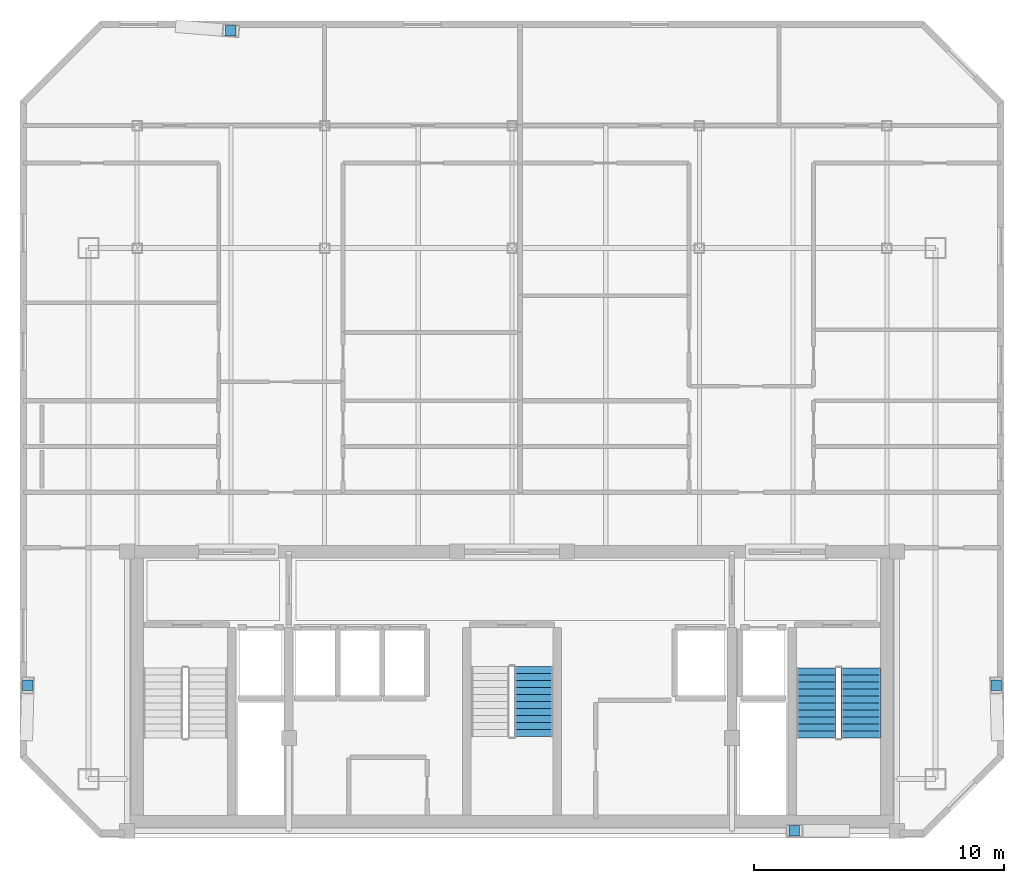
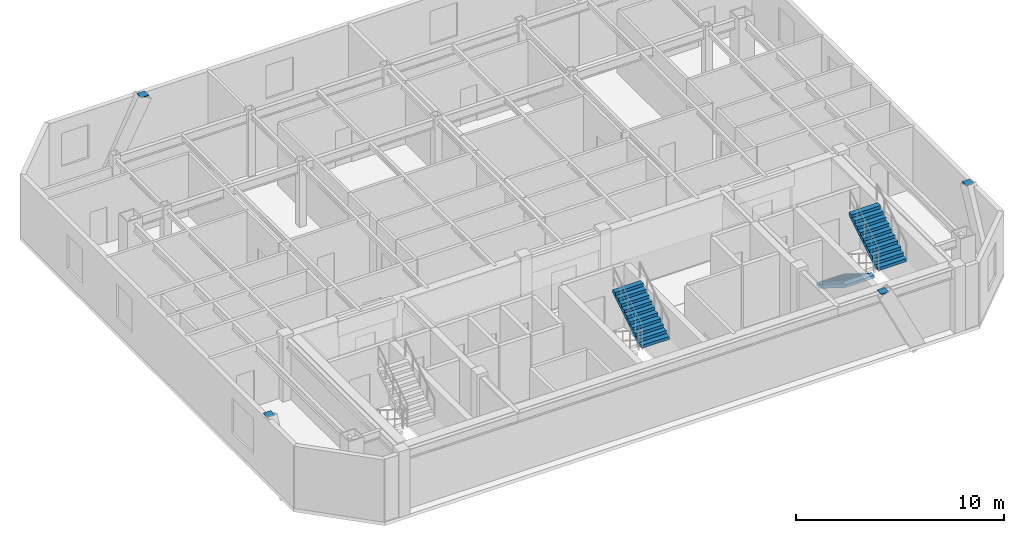
# One storey, part 6 of 7: 4 discrete accessories, 3 stair flights, 2 elements without a shape of their own.
"""IFC4 building model written with IfcOpenShell, lengths in metres."""

import ifcopenshell
import ifcopenshell.guid

model = None  # the IFC model being written
_history = None  # IfcOwnerHistory: only IFC2X3 demands one
_inside = {}  # id of a spatial element -> (the spatial element, [elements in it])
_under = {}  # id of a project, library or spatial element -> (it, [spatial elements below it])
_declared = {}  # id of a project -> (the project, [libraries it declares])
_typed = {}  # id of a type object -> (the type object, [elements of that type])
_made_of = {}  # id of a material, layer set ... -> (it, [elements and type objects made of it])


def new_model(schema):
    """Start an empty IFC model of exactly this schema.

    Asked for "IFC4X3", IfcOpenShell would pick the latest addendum, in which some entities
    have other attributes; the version numbers below select the first issue.
    IFC2X3 requires an IfcOwnerHistory on every rooted entity: one is made here for all.
    """
    global model, _history
    if schema == "IFC4X3":
        model = ifcopenshell.file(schema_version=(4, 3, 0, 0))
    else:
        model = ifcopenshell.file(schema=schema)
    _inside.clear()
    _under.clear()
    _declared.clear()
    _typed.clear()
    _made_of.clear()
    _history = None
    if model.schema == "IFC2X3":
        org = make("IfcOrganization", Name="unknown")
        user = make(
            "IfcPersonAndOrganization",
            ThePerson=make("IfcPerson", FamilyName="unknown"),
            TheOrganization=org,
        )
        app = make(
            "IfcApplication",
            ApplicationDeveloper=org,
            Version="unknown",
            ApplicationFullName="unknown",
            ApplicationIdentifier="unknown",
        )
        _history = make(
            "IfcOwnerHistory",
            OwningUser=user,
            OwningApplication=app,
            ChangeAction="ADDED",
            CreationDate=0,
        )
    return model


def make(cls, **values):
    """One entity of the class cls with the attributes given. An attribute that is None is left unset."""
    return model.create_entity(
        cls, **{name: value for name, value in values.items() if value is not None}
    )


def rooted(cls, **values):
    """An entity with a GlobalId (a new one), such as an element, a storey or a relation."""
    return make(cls, GlobalId=ifcopenshell.guid.new(), OwnerHistory=_history, **values)


def si_unit(unit_type, name, prefix=None):
    """IfcSIUnit, for example si_unit("LENGTHUNIT", "METRE", prefix="MILLI")."""
    return make("IfcSIUnit", UnitType=unit_type, Prefix=prefix, Name=name)


def assignment(units):
    """IfcUnitAssignment: the units of a project."""
    return None if units is None else make("IfcUnitAssignment", Units=units)


def point(xyz):
    """IfcCartesianPoint."""
    return None if xyz is None else make("IfcCartesianPoint", Coordinates=xyz)


def direction(xyz):
    """IfcDirection."""
    return None if xyz is None else make("IfcDirection", DirectionRatios=xyz)


def frame(location, z_axis=None, x_axis=None):
    """IfcAxis2Placement3D, a coordinate frame: its origin and axes. An axis left out is left unset."""
    return make(
        "IfcAxis2Placement3D",
        Location=point(location),
        Axis=direction(z_axis),
        RefDirection=direction(x_axis),
    )


def frame_2d(location, x_axis=None):
    """IfcAxis2Placement2D, a coordinate frame in the plane: its origin and x axis."""
    return make(
        "IfcAxis2Placement2D", Location=point(location), RefDirection=direction(x_axis)
    )


def origin():
    """The frame at (0, 0, 0) with its axes left unset."""
    return frame((0.0, 0.0, 0.0))


def origin_2d():
    """The frame at (0, 0) in the plane with its x axis left unset."""
    return frame_2d((0.0, 0.0))


def place(relative_to, where):
    """IfcLocalPlacement: puts the frame where relative to a parent placement (None: the world)."""
    return make(
        "IfcLocalPlacement", PlacementRelTo=relative_to, RelativePlacement=where
    )


def context(
    kind, dimensions, precision=None, world=None, true_north=None, identifier=None
):
    """IfcGeometricRepresentationContext, for example the 3D "Model" context."""
    return make(
        "IfcGeometricRepresentationContext",
        ContextIdentifier=identifier,
        ContextType=kind,
        CoordinateSpaceDimension=dimensions,
        Precision=precision,
        WorldCoordinateSystem=world,
        TrueNorth=true_north,
    )


def subcontext(parent, identifier, kind, view, scale=None):
    """IfcGeometricRepresentationSubContext, for example "Body" below "Model"."""
    return make(
        "IfcGeometricRepresentationSubContext",
        ContextIdentifier=identifier,
        ContextType=kind,
        ParentContext=parent,
        TargetScale=scale,
        TargetView=view,
    )


def project(units=None, contexts=None):
    """IfcProject with its units and contexts."""
    return rooted(
        "IfcProject",
        Name="project",
        RepresentationContexts=contexts,
        UnitsInContext=assignment(units),
    )


def spatial(cls, under=None, at=None, **own):
    """A site, building, storey or space (cls), placed at a placement, below another one or the project."""
    s = rooted(cls, ObjectPlacement=at, **own)
    if under is not None:
        _under.setdefault(under.id(), (under, []))[1].append(s)
    return s


def polyline(points):
    """IfcPolyline through the points."""
    return make("IfcPolyline", Points=[point(p) for p in points])


def profile(cls, at=None, kind="AREA", **sizes):
    """A parametric profile (cls). Its sizes go by their IFC names, for example OverallWidth=200.0."""
    return make(cls, ProfileType=kind, Position=at, **sizes)


def rectangle(**sizes):
    """IfcRectangleProfileDef."""
    return profile("IfcRectangleProfileDef", **sizes)


def outline(outer, holes=None, kind="AREA"):
    """IfcArbitraryClosedProfileDef: a profile drawn as a closed curve; with holes, ...WithVoids."""
    if holes is None:
        return make("IfcArbitraryClosedProfileDef", ProfileType=kind, OuterCurve=outer)
    return make(
        "IfcArbitraryProfileDefWithVoids",
        ProfileType=kind,
        OuterCurve=outer,
        InnerCurves=holes,
    )


def extrude(swept, where, along, depth):
    """IfcExtrudedAreaSolid: the profile swept, set in the frame where, extruded along a direction by depth."""
    return make(
        "IfcExtrudedAreaSolid",
        SweptArea=swept,
        Position=where,
        ExtrudedDirection=direction(along),
        Depth=depth,
    )


def shape(context_of_items, identifier, shape_type, items):
    """IfcShapeRepresentation: the items that make up one representation, for example the "Body"."""
    return make(
        "IfcShapeRepresentation",
        ContextOfItems=context_of_items,
        RepresentationIdentifier=identifier,
        RepresentationType=shape_type,
        Items=items,
    )


def material(Name=None, Category=None):
    """IfcMaterial."""
    return make("IfcMaterial", Name=Name, Category=Category)


def made_of(thing, what):
    """Note that an element or type object is made of a material, layer set ...; save() writes the relation."""
    if what is not None:
        _made_of.setdefault(what.id(), (what, []))[1].append(thing)
    return thing


def type_object(cls, material=None, **own):
    """A type object (cls), such as IfcWallType, which elements share."""
    return made_of(rooted(cls, **own), material)


def element(
    cls,
    number,
    at=None,
    inside=None,
    cuts=None,
    type_object=None,
    material=None,
    context=None,
    identifier="Body",
    shape_type=None,
    held_by="IfcProductDefinitionShape",
    body=None,
    shapes=None,
    **own,
):
    """One element of the class cls, such as IfcWall. Its Tag is "e" and its number.

    at: its placement. inside: the storey or other place that contains it. cuts: it is an
    opening in that element (IfcRelVoidsElement). A single representation is given by context,
    identifier, shape_type and body (its items); several are given by shapes. held_by: the class
    of the entity that holds the representations. save() writes the other relations.
    """
    e = rooted(cls, Tag="e%d" % number, ObjectPlacement=at, **own)
    if body is not None:
        shapes = [shape(context, identifier, shape_type, body)]
    if shapes is not None:
        e.Representation = make(held_by, Representations=shapes)
    if inside is not None:
        _inside.setdefault(inside.id(), (inside, []))[1].append(e)
    if cuts is not None:
        rooted(
            "IfcRelVoidsElement", RelatingBuildingElement=cuts, RelatedOpeningElement=e
        )
    if type_object is not None:
        _typed.setdefault(type_object.id(), (type_object, []))[1].append(e)
    return made_of(e, material)


def aggregate(whole, parts):
    """IfcRelAggregates: a whole, such as a stair, and the parts it consists of."""
    return rooted("IfcRelAggregates", RelatingObject=whole, RelatedObjects=parts)


def save(model, path):
    """Write the relations noted so far, then the file.

    IfcRelAggregates (storeys below a building ...), IfcRelContainedInSpatialStructure (elements
    in a storey), IfcRelDefinesByType, IfcRelAssociatesMaterial and IfcRelDeclares: one each for
    every whole, place, type object, material and project.
    """
    for whole, parts in _under.values():
        aggregate(whole, parts)
    for where, things in _inside.values():
        rooted(
            "IfcRelContainedInSpatialStructure",
            RelatedElements=things,
            RelatingStructure=where,
        )
    for kind, things in _typed.values():
        rooted("IfcRelDefinesByType", RelatedObjects=things, RelatingType=kind)
    for what, things in _made_of.values():
        rooted("IfcRelAssociatesMaterial", RelatedObjects=things, RelatingMaterial=what)
    for by, libraries in _declared.values():
        rooted("IfcRelDeclares", RelatingContext=by, RelatedDefinitions=libraries)
    model.write(path)


model = new_model("IFC4")

# Units and contexts
model_context = context("Model", 3, precision=1e-05, world=origin(), true_north=direction((0.0, 1.0)))
body_context = subcontext(model_context, "Body", "Model", "MODEL_VIEW")
ifc_project = project(units=[si_unit("LENGTHUNIT", "METRE"), si_unit("AREAUNIT", "SQUARE_METRE"), si_unit("VOLUMEUNIT", "CUBIC_METRE"), si_unit("PLANEANGLEUNIT", "RADIAN"), si_unit("MASSUNIT", "GRAM", prefix="KILO")], contexts=[model_context])

# Site, building, storey
site_placement = place(None, origin())
site = spatial("IfcSite", under=ifc_project, at=site_placement, CompositionType="ELEMENT")
building_placement = place(site_placement, origin())
building = spatial("IfcBuilding", under=site, at=building_placement, Name="Ventersveld Concourse Tower", CompositionType="ELEMENT")
storey_placement = place(building_placement, frame((0.0, 0.0, 320.75)))
storey = spatial("IfcBuildingStorey", under=building, at=storey_placement, Name="L79", CompositionType="ELEMENT", Elevation=320.75)

# Stair, stair flight
ifc_material_1 = material(Name="Concrete C50/60", Category="concrete")
stair_type_1 = type_object("IfcStairType", Name="ST-DOG-155", PredefinedType="HALF_TURN_STAIR", material=ifc_material_1)
stair_1_placement = place(storey_placement, origin())
stair_1 = element("IfcStair", 1, at=stair_1_placement, inside=storey, type_object=stair_type_1, Name="L79 Protected Central Core Escape Stair ST-03", PredefinedType="HALF_TURN_STAIR")
stair_flight_type_1 = type_object("IfcStairFlightType", Name="STF-RC-155", PredefinedType="STRAIGHT", material=ifc_material_1)
stair_flight_1_placement = place(storey_placement, frame((29.625, 4.050048828125, 1.925048828125), z_axis=(0.0, 0.0, 1.0), x_axis=(0.0, 1.0, 0.0)))
stair_flight_1 = element("IfcStairFlight", 2, at=stair_flight_1_placement, type_object=stair_flight_type_1, Name="ST-03 flight 2", NumberOfRisers=11, NumberOfTreads=10, PredefinedType="STRAIGHT", RiserHeight=0.175, TreadLength=0.28, context=body_context, shape_type="SweptSolid", body=[
    extrude(outline(polyline([(0.0, 0.0), (0.0, 0.175048828125), (0.280029296875, 0.175048828125), (0.280029296875, 0.35009765625), (0.56005859375, 0.35009765625), (0.56005859375, 0.52490234375), (0.840087890625, 0.52490234375), (0.840087890625, 0.699951171875), (1.1201171875, 0.699951171875), (1.1201171875, 0.875), (1.39990234375, 0.875), (1.39990234375, 1.050048828125), (1.679931640625, 1.050048828125), (1.679931640625, 1.22509765625), (1.9599609375, 1.22509765625), (1.9599609375, 1.39990234375), (2.239990234375, 1.39990234375), (2.239990234375, 1.574951171875), (2.52001953125, 1.574951171875), (2.52001953125, 1.75), (2.800048828125, 1.75), (2.800048828125, 1.925048828125), (2.800048828125, 1.5732421875), (0.28271484375, 0.0), (0.0, 0.0)])), frame((0.0, 0.77490234375, 0.0), z_axis=(0.0, -1.0, 0.0), x_axis=(1.0, 0.0, 0.0)), (0.0, 0.0, 1.0), 1.550048828125),
])
aggregate(stair_1, [stair_flight_1])

# Stair, stair flights
stair_type_2 = type_object("IfcStairType", Name="ST-DOG-160", PredefinedType="HALF_TURN_STAIR", material=ifc_material_1)
stair_2_placement = place(storey_placement, origin())
stair_2 = element("IfcStair", 3, at=stair_2_placement, inside=storey, type_object=stair_type_2, Name="L79 Protected Tower Escape Stair ST-02", PredefinedType="HALF_TURN_STAIR")
stair_flight_type_2 = type_object("IfcStairFlightType", Name="STF-RC-160", PredefinedType="STRAIGHT", material=ifc_material_1)
stair_flight_2_placement = place(storey_placement, frame((40.919921875, 6.800048828125, 0.0), z_axis=(0.0, 0.0, 1.0), x_axis=(0.0, -1.0, 0.0)))
stair_flight_2 = element("IfcStairFlight", 4, at=stair_flight_2_placement, type_object=stair_flight_type_2, Name="ST-02 flight 1", NumberOfRisers=11, NumberOfTreads=10, PredefinedType="STRAIGHT", RiserHeight=0.175, TreadLength=0.28, context=body_context, shape_type="SweptSolid", body=[
    extrude(outline(polyline([(0.0, 0.0), (0.0, 0.175048828125), (0.280029296875, 0.175048828125), (0.280029296875, 0.35009765625), (0.56005859375, 0.35009765625), (0.56005859375, 0.52490234375), (0.840087890625, 0.52490234375), (0.840087890625, 0.699951171875), (1.1201171875, 0.699951171875), (1.1201171875, 0.875), (1.39990234375, 0.875), (1.39990234375, 1.050048828125), (1.679931640625, 1.050048828125), (1.679931640625, 1.22509765625), (1.9599609375, 1.22509765625), (1.9599609375, 1.39990234375), (2.239990234375, 1.39990234375), (2.239990234375, 1.574951171875), (2.52001953125, 1.574951171875), (2.52001953125, 1.75), (2.800048828125, 1.75), (2.800048828125, 1.925048828125), (2.800048828125, 1.5732421875), (0.28271484375, 0.0), (0.0, 0.0)])), frame((0.0, 0.800048828125, 0.0), z_axis=(0.0, -1.0, 0.0), x_axis=(1.0, 0.0, 0.0)), (0.0, 0.0, 1.0), 1.60009765625),
])
stair_flight_3_placement = place(storey_placement, frame((42.719970703125, 4.0, 1.925048828125), z_axis=(0.0, 0.0, 1.0), x_axis=(0.0, 1.0, 0.0)))
stair_flight_3 = element("IfcStairFlight", 5, at=stair_flight_3_placement, type_object=stair_flight_type_2, Name="ST-02 flight 2", NumberOfRisers=11, NumberOfTreads=10, PredefinedType="STRAIGHT", RiserHeight=0.175, TreadLength=0.28, context=body_context, shape_type="SweptSolid", body=[
    extrude(outline(polyline([(0.0, 0.0), (0.0, 0.175048828125), (0.280029296875, 0.175048828125), (0.280029296875, 0.35009765625), (0.56005859375, 0.35009765625), (0.56005859375, 0.52490234375), (0.840087890625, 0.52490234375), (0.840087890625, 0.699951171875), (1.1201171875, 0.699951171875), (1.1201171875, 0.875), (1.39990234375, 0.875), (1.39990234375, 1.050048828125), (1.679931640625, 1.050048828125), (1.679931640625, 1.22509765625), (1.9599609375, 1.22509765625), (1.9599609375, 1.39990234375), (2.239990234375, 1.39990234375), (2.239990234375, 1.574951171875), (2.52001953125, 1.574951171875), (2.52001953125, 1.75), (2.800048828125, 1.75), (2.800048828125, 1.925048828125), (2.800048828125, 1.5732421875), (0.28271484375, 0.0), (0.0, 0.0)])), frame((0.0, 0.800048828125, 0.0), z_axis=(0.0, -1.0, 0.0), x_axis=(1.0, 0.0, 0.0)), (0.0, 0.0, 1.0), 1.60009765625),
])
aggregate(stair_2, [stair_flight_2, stair_flight_3])

# Discrete accessories
ifc_material_2 = material(Name="Structural steel S355J2", Category="steel")
discrete_accessory_type = type_object("IfcDiscreteAccessoryType", Name="CONN-BRACE-ECP1", PredefinedType="BRACKET", material=ifc_material_2)
for number, where, z_axis, x_axis, name in (
    (6, (17.5, 32.29345703125, 3.6298828125), (0.0, 0.0, 1.0), (1.0, 0.0, 0.0), "L79 Steel Brace End Connection Plate ECP1-0501"),
    (7, (40.050048828125, 0.280029296875, 3.6298828125), (0.0, 0.0, 1.0), (1.0, 0.0, 0.0), "L79 Steel Brace End Connection Plate ECP1-0505"),
    (8, (9.379638671875, 6.10009765625, 3.6298828125), (0.0, 0.0, 1.0), (1.0, 0.0, 0.0), "L79 Steel Brace End Connection Plate ECP1-0509"),
    (9, (48.120361328125, 6.10009765625, 3.6298828125), (0.0, 0.0, 1.0), (1.0, 0.0, 0.0), "L79 Steel Brace End Connection Plate ECP1-0513"),
):
    element("IfcDiscreteAccessory", number, at=place(storey_placement, frame(where, z_axis=z_axis, x_axis=x_axis)), inside=storey, type_object=discrete_accessory_type, Name=name, PredefinedType="BRACKET", context=body_context, shape_type="SweptSolid", body=[
        extrude(rectangle(XDim=0.419921875, YDim=0.419921875, at=origin_2d()), origin(), (0.0, 0.0, 1.0), 0.0400390625),
    ])

save(model, "model.ifc")
